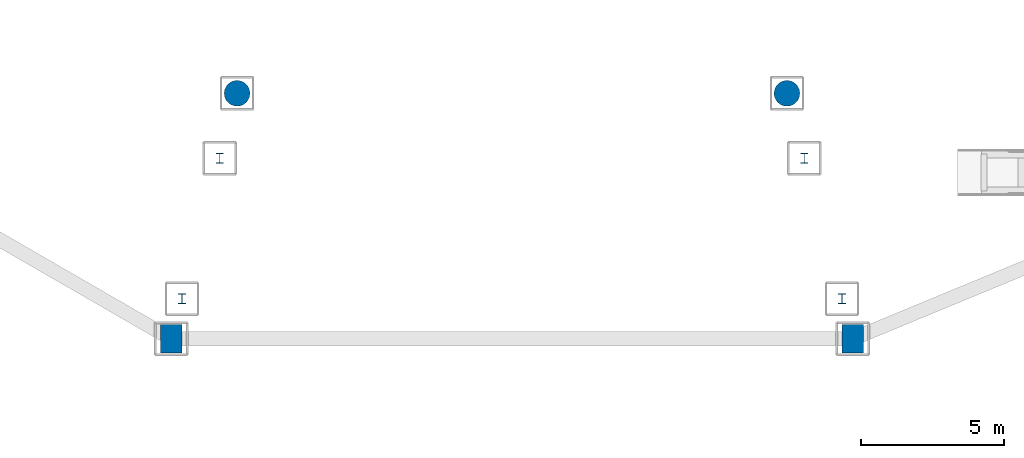
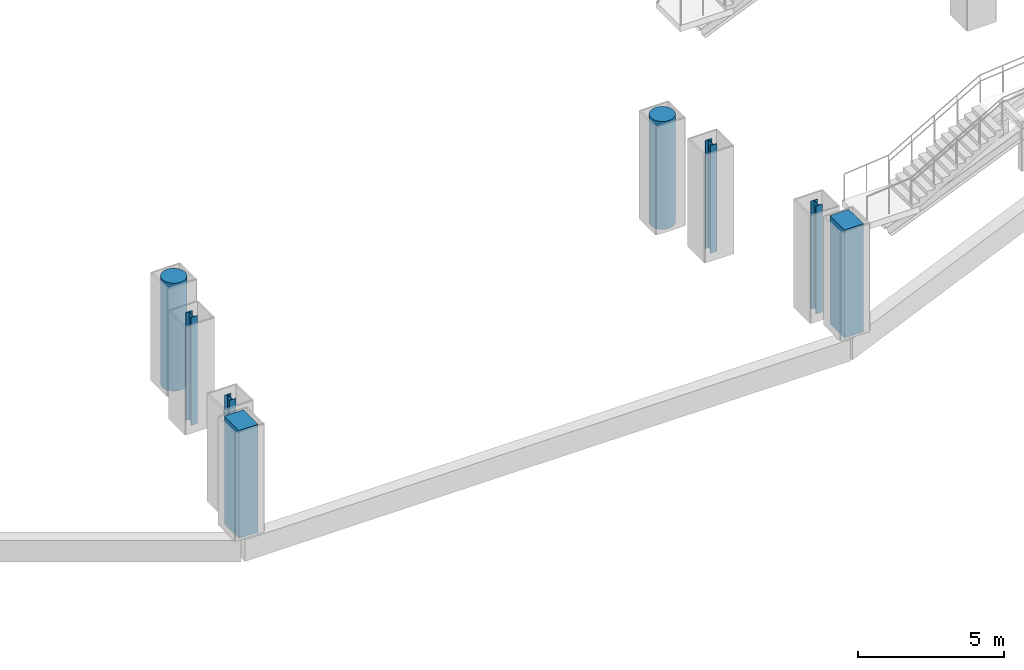
# One storey, part 5 of 129: 8 columns.
"""IFC4 building model written with IfcOpenShell, lengths in metres."""

import ifcopenshell
import ifcopenshell.guid

model = None  # the IFC model being written
_history = None  # IfcOwnerHistory: only IFC2X3 demands one
_inside = {}  # id of a spatial element -> (the spatial element, [elements in it])
_under = {}  # id of a project, library or spatial element -> (it, [spatial elements below it])
_declared = {}  # id of a project -> (the project, [libraries it declares])
_typed = {}  # id of a type object -> (the type object, [elements of that type])
_made_of = {}  # id of a material, layer set ... -> (it, [elements and type objects made of it])


def new_model(schema):
    """Start an empty IFC model of exactly this schema.

    Asked for "IFC4X3", IfcOpenShell would pick the latest addendum, in which some entities
    have other attributes; the version numbers below select the first issue.
    IFC2X3 requires an IfcOwnerHistory on every rooted entity: one is made here for all.
    """
    global model, _history
    if schema == "IFC4X3":
        model = ifcopenshell.file(schema_version=(4, 3, 0, 0))
    else:
        model = ifcopenshell.file(schema=schema)
    _inside.clear()
    _under.clear()
    _declared.clear()
    _typed.clear()
    _made_of.clear()
    _history = None
    if model.schema == "IFC2X3":
        org = make("IfcOrganization", Name="unknown")
        user = make(
            "IfcPersonAndOrganization",
            ThePerson=make("IfcPerson", FamilyName="unknown"),
            TheOrganization=org,
        )
        app = make(
            "IfcApplication",
            ApplicationDeveloper=org,
            Version="unknown",
            ApplicationFullName="unknown",
            ApplicationIdentifier="unknown",
        )
        _history = make(
            "IfcOwnerHistory",
            OwningUser=user,
            OwningApplication=app,
            ChangeAction="ADDED",
            CreationDate=0,
        )
    return model


def make(cls, **values):
    """One entity of the class cls with the attributes given. An attribute that is None is left unset."""
    return model.create_entity(
        cls, **{name: value for name, value in values.items() if value is not None}
    )


def rooted(cls, **values):
    """An entity with a GlobalId (a new one), such as an element, a storey or a relation."""
    return make(cls, GlobalId=ifcopenshell.guid.new(), OwnerHistory=_history, **values)


def si_unit(unit_type, name, prefix=None):
    """IfcSIUnit, for example si_unit("LENGTHUNIT", "METRE", prefix="MILLI")."""
    return make("IfcSIUnit", UnitType=unit_type, Prefix=prefix, Name=name)


def assignment(units):
    """IfcUnitAssignment: the units of a project."""
    return None if units is None else make("IfcUnitAssignment", Units=units)


def point(xyz):
    """IfcCartesianPoint."""
    return None if xyz is None else make("IfcCartesianPoint", Coordinates=xyz)


def direction(xyz):
    """IfcDirection."""
    return None if xyz is None else make("IfcDirection", DirectionRatios=xyz)


def frame(location, z_axis=None, x_axis=None):
    """IfcAxis2Placement3D, a coordinate frame: its origin and axes. An axis left out is left unset."""
    return make(
        "IfcAxis2Placement3D",
        Location=point(location),
        Axis=direction(z_axis),
        RefDirection=direction(x_axis),
    )


def frame_2d(location, x_axis=None):
    """IfcAxis2Placement2D, a coordinate frame in the plane: its origin and x axis."""
    return make(
        "IfcAxis2Placement2D", Location=point(location), RefDirection=direction(x_axis)
    )


def origin():
    """The frame at (0, 0, 0) with its axes left unset."""
    return frame((0.0, 0.0, 0.0))


def origin_2d():
    """The frame at (0, 0) in the plane with its x axis left unset."""
    return frame_2d((0.0, 0.0))


def place(relative_to, where):
    """IfcLocalPlacement: puts the frame where relative to a parent placement (None: the world)."""
    return make(
        "IfcLocalPlacement", PlacementRelTo=relative_to, RelativePlacement=where
    )


def context(
    kind, dimensions, precision=None, world=None, true_north=None, identifier=None
):
    """IfcGeometricRepresentationContext, for example the 3D "Model" context."""
    return make(
        "IfcGeometricRepresentationContext",
        ContextIdentifier=identifier,
        ContextType=kind,
        CoordinateSpaceDimension=dimensions,
        Precision=precision,
        WorldCoordinateSystem=world,
        TrueNorth=true_north,
    )


def subcontext(parent, identifier, kind, view, scale=None):
    """IfcGeometricRepresentationSubContext, for example "Body" below "Model"."""
    return make(
        "IfcGeometricRepresentationSubContext",
        ContextIdentifier=identifier,
        ContextType=kind,
        ParentContext=parent,
        TargetScale=scale,
        TargetView=view,
    )


def project(units=None, contexts=None):
    """IfcProject with its units and contexts."""
    return rooted(
        "IfcProject",
        Name="project",
        RepresentationContexts=contexts,
        UnitsInContext=assignment(units),
    )


def spatial(cls, under=None, at=None, **own):
    """A site, building, storey or space (cls), placed at a placement, below another one or the project."""
    s = rooted(cls, ObjectPlacement=at, **own)
    if under is not None:
        _under.setdefault(under.id(), (under, []))[1].append(s)
    return s


def profile(cls, at=None, kind="AREA", **sizes):
    """A parametric profile (cls). Its sizes go by their IFC names, for example OverallWidth=200.0."""
    return make(cls, ProfileType=kind, Position=at, **sizes)


def rectangle(**sizes):
    """IfcRectangleProfileDef."""
    return profile("IfcRectangleProfileDef", **sizes)


def circle(**sizes):
    """IfcCircleProfileDef."""
    return profile("IfcCircleProfileDef", **sizes)


def i_section(**sizes):
    """IfcIShapeProfileDef."""
    return profile("IfcIShapeProfileDef", **sizes)


def extrude(swept, where, along, depth):
    """IfcExtrudedAreaSolid: the profile swept, set in the frame where, extruded along a direction by depth."""
    return make(
        "IfcExtrudedAreaSolid",
        SweptArea=swept,
        Position=where,
        ExtrudedDirection=direction(along),
        Depth=depth,
    )


def shape(context_of_items, identifier, shape_type, items):
    """IfcShapeRepresentation: the items that make up one representation, for example the "Body"."""
    return make(
        "IfcShapeRepresentation",
        ContextOfItems=context_of_items,
        RepresentationIdentifier=identifier,
        RepresentationType=shape_type,
        Items=items,
    )


def material(Name=None, Category=None):
    """IfcMaterial."""
    return make("IfcMaterial", Name=Name, Category=Category)


def material_profile(
    of_material, cross_section, Name=None, Category=None, Priority=None
):
    """IfcMaterialProfile: a cross section and its material."""
    return make(
        "IfcMaterialProfile",
        Name=Name,
        Material=of_material,
        Profile=cross_section,
        Priority=Priority,
        Category=Category,
    )


def profile_set(profiles, Name=None, composite=None):
    """IfcMaterialProfileSet."""
    return make(
        "IfcMaterialProfileSet",
        Name=Name,
        MaterialProfiles=profiles,
        CompositeProfile=composite,
    )


def made_of(thing, what):
    """Note that an element or type object is made of a material, layer set ...; save() writes the relation."""
    if what is not None:
        _made_of.setdefault(what.id(), (what, []))[1].append(thing)
    return thing


def type_object(cls, material=None, **own):
    """A type object (cls), such as IfcWallType, which elements share."""
    return made_of(rooted(cls, **own), material)


def element(
    cls,
    number,
    at=None,
    inside=None,
    cuts=None,
    type_object=None,
    material=None,
    context=None,
    identifier="Body",
    shape_type=None,
    held_by="IfcProductDefinitionShape",
    body=None,
    shapes=None,
    **own,
):
    """One element of the class cls, such as IfcWall. Its Tag is "e" and its number.

    at: its placement. inside: the storey or other place that contains it. cuts: it is an
    opening in that element (IfcRelVoidsElement). A single representation is given by context,
    identifier, shape_type and body (its items); several are given by shapes. held_by: the class
    of the entity that holds the representations. save() writes the other relations.
    """
    e = rooted(cls, Tag="e%d" % number, ObjectPlacement=at, **own)
    if body is not None:
        shapes = [shape(context, identifier, shape_type, body)]
    if shapes is not None:
        e.Representation = make(held_by, Representations=shapes)
    if inside is not None:
        _inside.setdefault(inside.id(), (inside, []))[1].append(e)
    if cuts is not None:
        rooted(
            "IfcRelVoidsElement", RelatingBuildingElement=cuts, RelatedOpeningElement=e
        )
    if type_object is not None:
        _typed.setdefault(type_object.id(), (type_object, []))[1].append(e)
    return made_of(e, material)


def aggregate(whole, parts):
    """IfcRelAggregates: a whole, such as a stair, and the parts it consists of."""
    return rooted("IfcRelAggregates", RelatingObject=whole, RelatedObjects=parts)


def save(model, path):
    """Write the relations noted so far, then the file.

    IfcRelAggregates (storeys below a building ...), IfcRelContainedInSpatialStructure (elements
    in a storey), IfcRelDefinesByType, IfcRelAssociatesMaterial and IfcRelDeclares: one each for
    every whole, place, type object, material and project.
    """
    for whole, parts in _under.values():
        aggregate(whole, parts)
    for where, things in _inside.values():
        rooted(
            "IfcRelContainedInSpatialStructure",
            RelatedElements=things,
            RelatingStructure=where,
        )
    for kind, things in _typed.values():
        rooted("IfcRelDefinesByType", RelatedObjects=things, RelatingType=kind)
    for what, things in _made_of.values():
        rooted("IfcRelAssociatesMaterial", RelatedObjects=things, RelatingMaterial=what)
    for by, libraries in _declared.values():
        rooted("IfcRelDeclares", RelatingContext=by, RelatedDefinitions=libraries)
    model.write(path)


model = new_model("IFC4")

# Units and contexts
model_context = context("Model", 3, precision=1e-05, world=origin(), true_north=direction((0.0, 1.0)))
body_context = subcontext(model_context, "Body", "Model", "MODEL_VIEW")
ifc_project = project(units=[si_unit("LENGTHUNIT", "METRE"), si_unit("AREAUNIT", "SQUARE_METRE"), si_unit("VOLUMEUNIT", "CUBIC_METRE"), si_unit("PLANEANGLEUNIT", "RADIAN"), si_unit("MASSUNIT", "GRAM", prefix="KILO")], contexts=[model_context])

# Site, building, storey
site_placement = place(None, origin())
site = spatial("IfcSite", under=ifc_project, at=site_placement, CompositionType="ELEMENT")
building_placement = place(site_placement, origin())
building = spatial("IfcBuilding", under=site, at=building_placement, Name="Vespera Passage Community Centre", CompositionType="ELEMENT")
storey_placement = place(building_placement, origin())
storey = spatial("IfcBuildingStorey", under=building, at=storey_placement, Name="L00", CompositionType="ELEMENT", Elevation=0.0)

# Columns
ifc_material_1 = material(Name="Concrete f'c 45 MPa", Category="concrete")
ifc_material_profile_1 = material_profile(ifc_material_1, rectangle(XDim=0.75, YDim=1.0, at=origin_2d()), Name="RC1000X750")
ifc_profile_set_1 = profile_set([ifc_material_profile_1], Name="Concrete f'c 45 MPa")
column_type_1 = type_object("IfcColumnType", Name="COL-RC1000X750E", PredefinedType="COLUMN", material=ifc_profile_set_1)
for number, where, z_axis, x_axis, name in (
    (1, (66.068359375, 20.970703125, 0.0), (0.0, 0.0, 1.0), (1.0, 0.0, 0.0), "L00 Column V4-O17"),
    (2, (89.931640625, 20.970703125, 0.0), (0.0, 0.0, 1.0), (1.0, 0.0, 0.0), "L00 Column V4-O19"),
):
    element("IfcColumn", number, at=place(storey_placement, frame(where, z_axis=z_axis, x_axis=x_axis)), inside=storey, type_object=column_type_1, Name=name, PredefinedType="COLUMN", context=body_context, shape_type="SweptSolid", body=[
        extrude(rectangle(XDim=0.75, YDim=1.0, at=origin_2d()), origin(), (0.0, 0.0, 1.0), 4.5),
    ])
ifc_material_2 = material(Name="Concrete f'c 45 MPa", Category="concrete")
ifc_material_profile_2 = material_profile(ifc_material_2, circle(Radius=0.449951171875, at=origin_2d()), Name="RC900DIA")
ifc_profile_set_2 = profile_set([ifc_material_profile_2], Name="Concrete f'c 45 MPa")
column_type_2 = type_object("IfcColumnType", Name="COL-RC900DIAE", PredefinedType="COLUMN", material=ifc_profile_set_2)
for number, where, z_axis, x_axis, name in (
    (3, (68.371826171875, 29.567626953125, 0.0), (0.0, 0.0, 1.0), (1.0, 0.0, 0.0), "L00 Column V4-I17"),
    (4, (87.628173828125, 29.567626953125, 0.0), (0.0, 0.0, 1.0), (1.0, 0.0, 0.0), "L00 Column V4-I19"),
):
    element("IfcColumn", number, at=place(storey_placement, frame(where, z_axis=z_axis, x_axis=x_axis)), inside=storey, type_object=column_type_2, Name=name, PredefinedType="COLUMN", context=body_context, shape_type="SweptSolid", body=[
        extrude(circle(Radius=0.449951171875, at=origin_2d()), origin(), (0.0, 0.0, 1.0), 4.5),
    ])
ifc_material_3 = material(Name="Steel ASTM A992 Grade 50", Category="steel")
ifc_material_profile_3 = material_profile(ifc_material_3, i_section(OverallWidth=0.2548828125, OverallDepth=0.356689453125, WebThickness=0.010498046875, FlangeThickness=0.018310546875, FilletRadius=0.01513671875, at=origin_2d()), Name="W14X68")
ifc_profile_set_3 = profile_set([ifc_material_profile_3], Name="Steel ASTM A992 Grade 50")
column_type_3 = type_object("IfcColumnType", Name="COL-W14X68I", PredefinedType="COLUMN", material=ifc_profile_set_3)
for number, where, z_axis, x_axis, name in (
    (5, (67.763671875, 27.297607421875, 0.0), (0.0, 0.0, 1.0), (1.0, 0.0, 0.0), "L00 Column TRANC-I170"),
    (6, (88.236328125, 27.297607421875, 0.0), (0.0, 0.0, 1.0), (1.0, 0.0, 0.0), "L00 Column TRANC-I190"),
    (7, (66.443603515625, 22.371337890625, 0.0), (0.0, 0.0, 1.0), (1.0, 0.0, 0.0), "L00 Column TRANC-O170"),
    (8, (89.556396484375, 22.371337890625, 0.0), (0.0, 0.0, 1.0), (1.0, 0.0, 0.0), "L00 Column TRANC-O190"),
):
    element("IfcColumn", number, at=place(storey_placement, frame(where, z_axis=z_axis, x_axis=x_axis)), inside=storey, type_object=column_type_3, Name=name, PredefinedType="COLUMN", context=body_context, shape_type="SweptSolid", body=[
        extrude(i_section(OverallWidth=0.2548828125, OverallDepth=0.356689453125, WebThickness=0.010498046875, FlangeThickness=0.018310546875, FilletRadius=0.01513671875, at=origin_2d()), origin(), (0.0, 0.0, 1.0), 4.5),
    ])

save(model, "model.ifc")
